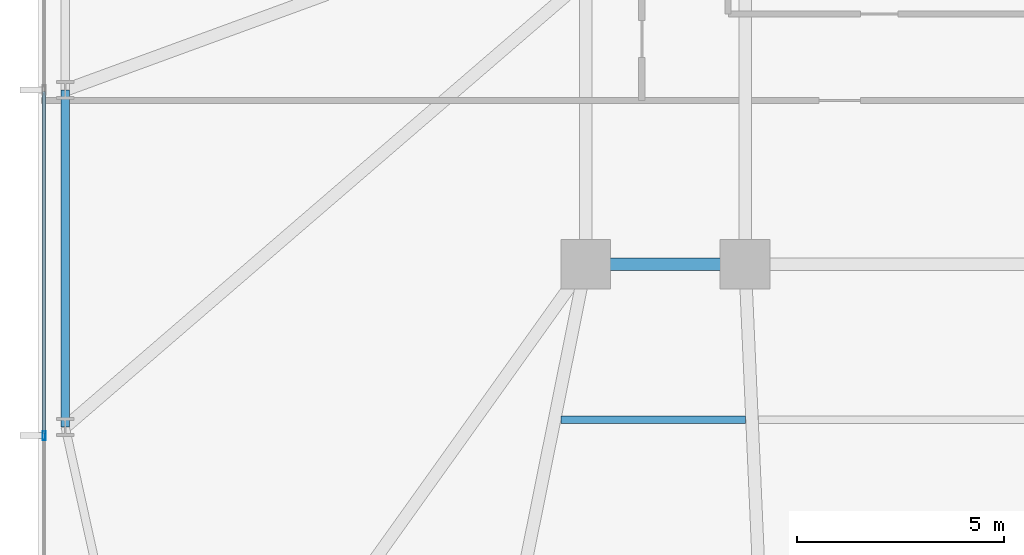
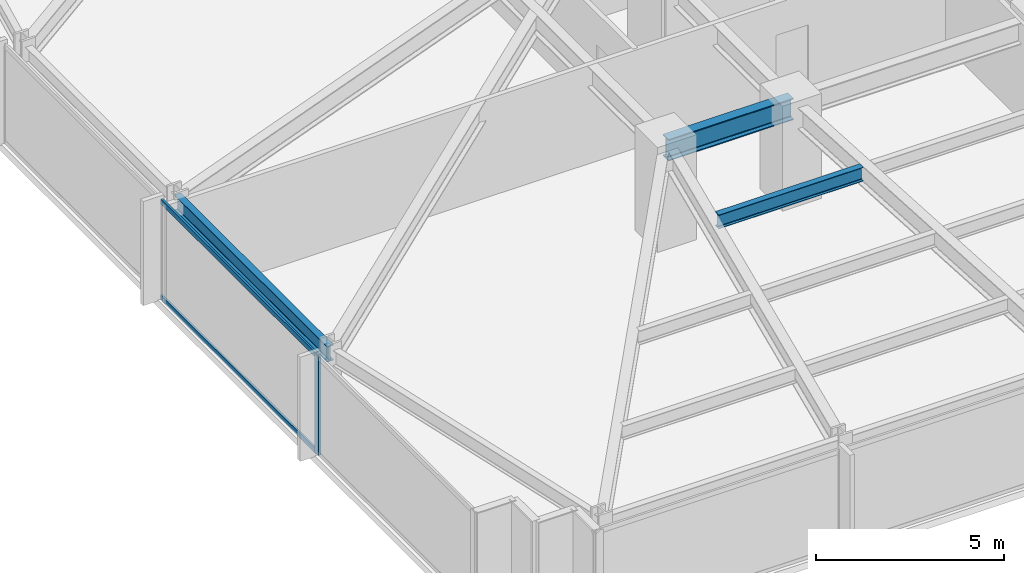
# One storey, part 4 of 32: 3 beams, 3 members, 1 element without a shape of its own.
"""IFC4 building model written with IfcOpenShell, lengths in metres."""

import ifcopenshell
import ifcopenshell.guid

model = None  # the IFC model being written
_history = None  # IfcOwnerHistory: only IFC2X3 demands one
_inside = {}  # id of a spatial element -> (the spatial element, [elements in it])
_under = {}  # id of a project, library or spatial element -> (it, [spatial elements below it])
_declared = {}  # id of a project -> (the project, [libraries it declares])
_typed = {}  # id of a type object -> (the type object, [elements of that type])
_made_of = {}  # id of a material, layer set ... -> (it, [elements and type objects made of it])


def new_model(schema):
    """Start an empty IFC model of exactly this schema.

    Asked for "IFC4X3", IfcOpenShell would pick the latest addendum, in which some entities
    have other attributes; the version numbers below select the first issue.
    IFC2X3 requires an IfcOwnerHistory on every rooted entity: one is made here for all.
    """
    global model, _history
    if schema == "IFC4X3":
        model = ifcopenshell.file(schema_version=(4, 3, 0, 0))
    else:
        model = ifcopenshell.file(schema=schema)
    _inside.clear()
    _under.clear()
    _declared.clear()
    _typed.clear()
    _made_of.clear()
    _history = None
    if model.schema == "IFC2X3":
        org = make("IfcOrganization", Name="unknown")
        user = make(
            "IfcPersonAndOrganization",
            ThePerson=make("IfcPerson", FamilyName="unknown"),
            TheOrganization=org,
        )
        app = make(
            "IfcApplication",
            ApplicationDeveloper=org,
            Version="unknown",
            ApplicationFullName="unknown",
            ApplicationIdentifier="unknown",
        )
        _history = make(
            "IfcOwnerHistory",
            OwningUser=user,
            OwningApplication=app,
            ChangeAction="ADDED",
            CreationDate=0,
        )
    return model


def make(cls, **values):
    """One entity of the class cls with the attributes given. An attribute that is None is left unset."""
    return model.create_entity(
        cls, **{name: value for name, value in values.items() if value is not None}
    )


def rooted(cls, **values):
    """An entity with a GlobalId (a new one), such as an element, a storey or a relation."""
    return make(cls, GlobalId=ifcopenshell.guid.new(), OwnerHistory=_history, **values)


def si_unit(unit_type, name, prefix=None):
    """IfcSIUnit, for example si_unit("LENGTHUNIT", "METRE", prefix="MILLI")."""
    return make("IfcSIUnit", UnitType=unit_type, Prefix=prefix, Name=name)


def assignment(units):
    """IfcUnitAssignment: the units of a project."""
    return None if units is None else make("IfcUnitAssignment", Units=units)


def point(xyz):
    """IfcCartesianPoint."""
    return None if xyz is None else make("IfcCartesianPoint", Coordinates=xyz)


def direction(xyz):
    """IfcDirection."""
    return None if xyz is None else make("IfcDirection", DirectionRatios=xyz)


def frame(location, z_axis=None, x_axis=None):
    """IfcAxis2Placement3D, a coordinate frame: its origin and axes. An axis left out is left unset."""
    return make(
        "IfcAxis2Placement3D",
        Location=point(location),
        Axis=direction(z_axis),
        RefDirection=direction(x_axis),
    )


def frame_2d(location, x_axis=None):
    """IfcAxis2Placement2D, a coordinate frame in the plane: its origin and x axis."""
    return make(
        "IfcAxis2Placement2D", Location=point(location), RefDirection=direction(x_axis)
    )


def origin():
    """The frame at (0, 0, 0) with its axes left unset."""
    return frame((0.0, 0.0, 0.0))


def origin_2d():
    """The frame at (0, 0) in the plane with its x axis left unset."""
    return frame_2d((0.0, 0.0))


def place(relative_to, where):
    """IfcLocalPlacement: puts the frame where relative to a parent placement (None: the world)."""
    return make(
        "IfcLocalPlacement", PlacementRelTo=relative_to, RelativePlacement=where
    )


def context(
    kind, dimensions, precision=None, world=None, true_north=None, identifier=None
):
    """IfcGeometricRepresentationContext, for example the 3D "Model" context."""
    return make(
        "IfcGeometricRepresentationContext",
        ContextIdentifier=identifier,
        ContextType=kind,
        CoordinateSpaceDimension=dimensions,
        Precision=precision,
        WorldCoordinateSystem=world,
        TrueNorth=true_north,
    )


def subcontext(parent, identifier, kind, view, scale=None):
    """IfcGeometricRepresentationSubContext, for example "Body" below "Model"."""
    return make(
        "IfcGeometricRepresentationSubContext",
        ContextIdentifier=identifier,
        ContextType=kind,
        ParentContext=parent,
        TargetScale=scale,
        TargetView=view,
    )


def project(units=None, contexts=None):
    """IfcProject with its units and contexts."""
    return rooted(
        "IfcProject",
        Name="project",
        RepresentationContexts=contexts,
        UnitsInContext=assignment(units),
    )


def spatial(cls, under=None, at=None, **own):
    """A site, building, storey or space (cls), placed at a placement, below another one or the project."""
    s = rooted(cls, ObjectPlacement=at, **own)
    if under is not None:
        _under.setdefault(under.id(), (under, []))[1].append(s)
    return s


def profile(cls, at=None, kind="AREA", **sizes):
    """A parametric profile (cls). Its sizes go by their IFC names, for example OverallWidth=200.0."""
    return make(cls, ProfileType=kind, Position=at, **sizes)


def hollow_rectangle(**sizes):
    """IfcRectangleHollowProfileDef."""
    return profile("IfcRectangleHollowProfileDef", **sizes)


def i_section(**sizes):
    """IfcIShapeProfileDef."""
    return profile("IfcIShapeProfileDef", **sizes)


def extrude(swept, where, along, depth):
    """IfcExtrudedAreaSolid: the profile swept, set in the frame where, extruded along a direction by depth."""
    return make(
        "IfcExtrudedAreaSolid",
        SweptArea=swept,
        Position=where,
        ExtrudedDirection=direction(along),
        Depth=depth,
    )


def shape(context_of_items, identifier, shape_type, items):
    """IfcShapeRepresentation: the items that make up one representation, for example the "Body"."""
    return make(
        "IfcShapeRepresentation",
        ContextOfItems=context_of_items,
        RepresentationIdentifier=identifier,
        RepresentationType=shape_type,
        Items=items,
    )


def material(Name=None, Category=None):
    """IfcMaterial."""
    return make("IfcMaterial", Name=Name, Category=Category)


def material_profile(
    of_material, cross_section, Name=None, Category=None, Priority=None
):
    """IfcMaterialProfile: a cross section and its material."""
    return make(
        "IfcMaterialProfile",
        Name=Name,
        Material=of_material,
        Profile=cross_section,
        Priority=Priority,
        Category=Category,
    )


def profile_set(profiles, Name=None, composite=None):
    """IfcMaterialProfileSet."""
    return make(
        "IfcMaterialProfileSet",
        Name=Name,
        MaterialProfiles=profiles,
        CompositeProfile=composite,
    )


def made_of(thing, what):
    """Note that an element or type object is made of a material, layer set ...; save() writes the relation."""
    if what is not None:
        _made_of.setdefault(what.id(), (what, []))[1].append(thing)
    return thing


def type_object(cls, material=None, **own):
    """A type object (cls), such as IfcWallType, which elements share."""
    return made_of(rooted(cls, **own), material)


def element(
    cls,
    number,
    at=None,
    inside=None,
    cuts=None,
    type_object=None,
    material=None,
    context=None,
    identifier="Body",
    shape_type=None,
    held_by="IfcProductDefinitionShape",
    body=None,
    shapes=None,
    **own,
):
    """One element of the class cls, such as IfcWall. Its Tag is "e" and its number.

    at: its placement. inside: the storey or other place that contains it. cuts: it is an
    opening in that element (IfcRelVoidsElement). A single representation is given by context,
    identifier, shape_type and body (its items); several are given by shapes. held_by: the class
    of the entity that holds the representations. save() writes the other relations.
    """
    e = rooted(cls, Tag="e%d" % number, ObjectPlacement=at, **own)
    if body is not None:
        shapes = [shape(context, identifier, shape_type, body)]
    if shapes is not None:
        e.Representation = make(held_by, Representations=shapes)
    if inside is not None:
        _inside.setdefault(inside.id(), (inside, []))[1].append(e)
    if cuts is not None:
        rooted(
            "IfcRelVoidsElement", RelatingBuildingElement=cuts, RelatedOpeningElement=e
        )
    if type_object is not None:
        _typed.setdefault(type_object.id(), (type_object, []))[1].append(e)
    return made_of(e, material)


def aggregate(whole, parts):
    """IfcRelAggregates: a whole, such as a stair, and the parts it consists of."""
    return rooted("IfcRelAggregates", RelatingObject=whole, RelatedObjects=parts)


def save(model, path):
    """Write the relations noted so far, then the file.

    IfcRelAggregates (storeys below a building ...), IfcRelContainedInSpatialStructure (elements
    in a storey), IfcRelDefinesByType, IfcRelAssociatesMaterial and IfcRelDeclares: one each for
    every whole, place, type object, material and project.
    """
    for whole, parts in _under.values():
        aggregate(whole, parts)
    for where, things in _inside.values():
        rooted(
            "IfcRelContainedInSpatialStructure",
            RelatedElements=things,
            RelatingStructure=where,
        )
    for kind, things in _typed.values():
        rooted("IfcRelDefinesByType", RelatedObjects=things, RelatingType=kind)
    for what, things in _made_of.values():
        rooted("IfcRelAssociatesMaterial", RelatedObjects=things, RelatingMaterial=what)
    for by, libraries in _declared.values():
        rooted("IfcRelDeclares", RelatingContext=by, RelatedDefinitions=libraries)
    model.write(path)


model = new_model("IFC4")

# Units and contexts
model_context = context("Model", 3, precision=1e-05, world=origin(), true_north=direction((0.0, 1.0)))
body_context = subcontext(model_context, "Body", "Model", "MODEL_VIEW")
ifc_project = project(units=[si_unit("LENGTHUNIT", "METRE"), si_unit("AREAUNIT", "SQUARE_METRE"), si_unit("VOLUMEUNIT", "CUBIC_METRE"), si_unit("PLANEANGLEUNIT", "RADIAN"), si_unit("MASSUNIT", "GRAM", prefix="KILO")], contexts=[model_context])

# Site, building, storey
site_placement = place(None, origin())
site = spatial("IfcSite", under=ifc_project, at=site_placement, CompositionType="ELEMENT")
building_placement = place(site_placement, origin())
building = spatial("IfcBuilding", under=site, at=building_placement, Name="Yelkora Congress Tower", CompositionType="ELEMENT")
storey_placement = place(building_placement, frame((0.0, 0.0, 67.800048828125)))
storey = spatial("IfcBuildingStorey", under=building, at=storey_placement, Name="L17", CompositionType="ELEMENT", Elevation=67.800048828125)

# Beams
ifc_material_1 = material(Name="Steel S355J2", Category="steel")
ifc_material_profile_1 = material_profile(ifc_material_1, i_section(OverallWidth=0.300048828125, OverallDepth=0.699951171875, WebThickness=0.01708984375, FlangeThickness=0.031982421875, FilletRadius=0.027099609375, at=origin_2d()), Name="HEB 700")
ifc_profile_set_1 = profile_set([ifc_material_profile_1], Name="Steel S355J2")
beam_type_1 = type_object("IfcBeamType", Name="BM-GIRD-HEB700", PredefinedType="BEAM", material=ifc_profile_set_1)
beam_1_placement = place(storey_placement, frame((19.199951171875, 25.199951171875, 2.829833984375), z_axis=(1.0, 0.0, 0.0), x_axis=(0.0, 1.0, 0.0)))
element("IfcBeam", 1, at=beam_1_placement, inside=storey, type_object=beam_type_1, Name="L17 Spine Grid D Girder 1", PredefinedType="BEAM", context=body_context, shape_type="SweptSolid", body=[
    extrude(i_section(OverallWidth=0.300048828125, OverallDepth=0.699951171875, WebThickness=0.01708984375, FlangeThickness=0.031982421875, FilletRadius=0.027099609375, at=origin_2d()), origin(), (0.0, 0.0, 1.0), 3.840087890625),
])
ifc_material_profile_2 = material_profile(ifc_material_1, i_section(OverallWidth=0.18994140625, OverallDepth=0.449951171875, WebThickness=0.009521484375, FlangeThickness=0.0146484375, FilletRadius=0.02099609375, at=origin_2d()), Name="IPE 450")
ifc_profile_set_2 = profile_set([ifc_material_profile_2], Name="Steel S355J2")
beam_type_2 = type_object("IfcBeamType", Name="BM-JOIST-IPE450", PredefinedType="JOIST", material=ifc_profile_set_2)
beam_2_placement = place(storey_placement, frame((18.60546875, 21.449951171875, 2.954833984375), z_axis=(1.0, 0.0, 0.0), x_axis=(0.0, 1.0, 0.0)))
element("IfcBeam", 2, at=beam_2_placement, inside=storey, type_object=beam_type_2, Name="L17 Composite Floor Joist 17", PredefinedType="JOIST", context=body_context, shape_type="SweptSolid", body=[
    extrude(i_section(OverallWidth=0.18994140625, OverallDepth=0.449951171875, WebThickness=0.009521484375, FlangeThickness=0.0146484375, FilletRadius=0.02099609375, at=origin_2d()), origin(), (0.0, 0.0, 1.0), 4.4404296875),
])
ifc_material_profile_3 = material_profile(ifc_material_1, i_section(OverallWidth=0.199951171875, OverallDepth=0.5, WebThickness=0.01025390625, FlangeThickness=0.01611328125, FilletRadius=0.02099609375, at=origin_2d()), Name="IPE 500")
ifc_profile_set_3 = profile_set([ifc_material_profile_3], Name="Steel S355J2")
beam_type_3 = type_object("IfcBeamType", Name="BM-SPAN-IPE500", PredefinedType="SPANDREL", material=ifc_profile_set_3)
beam_3_placement = place(storey_placement, frame((6.64990234375, 29.39990234375, 2.929931640625), z_axis=(0.0, -1.0, 0.0), x_axis=(1.0, 0.0, 0.0)))
element("IfcBeam", 3, at=beam_3_placement, inside=storey, type_object=beam_type_3, Name="L17 Perimeter Beam 19", PredefinedType="SPANDREL", context=body_context, shape_type="SweptSolid", body=[
    extrude(i_section(OverallWidth=0.199951171875, OverallDepth=0.5, WebThickness=0.01025390625, FlangeThickness=0.01611328125, FilletRadius=0.02099609375, at=origin_2d()), origin(), (0.0, 0.0, 1.0), 8.125),
])

# Curtain wall, members
ifc_material_2 = material(Name="Anodised aluminium and insulated glass", Category="aluminium")
curtain_wall_type = type_object("IfcCurtainWallType", Name="CW-SYS-B1", PredefinedType="NOTDEFINED", material=ifc_material_2)
curtain_wall_placement = place(storey_placement, origin())
curtain_wall = element("IfcCurtainWall", 4, at=curtain_wall_placement, inside=storey, type_object=curtain_wall_type, Name="L17 Unitised Curtain Wall 5", PredefinedType="NOTDEFINED")
ifc_material_3 = material(Name="Anodised aluminium 6063-T6", Category="aluminium")
ifc_material_profile_4 = material_profile(ifc_material_3, hollow_rectangle(XDim=0.074951171875, YDim=0.219970703125, WallThickness=0.0048828125, at=origin_2d()), Name="ALU 75x220x5")
ifc_profile_set_4 = profile_set([ifc_material_profile_4], Name="Anodised aluminium 6063-T6")
member_type_1 = type_object("IfcMemberType", Name="MEM-ML-B1", PredefinedType="MULLION", material=ifc_profile_set_4)
member_1_placement = place(storey_placement, frame((6.139892578125, 21.070068359375, 0.0), z_axis=(0.0, 0.0, 1.0), x_axis=(-1.0, 0.0, 0.0)))
member_1 = element("IfcMember", 5, at=member_1_placement, type_object=member_type_1, Name="CW-B1 mullion 2", PredefinedType="MULLION", context=body_context, shape_type="SweptSolid", body=[
    extrude(hollow_rectangle(XDim=0.074951171875, YDim=0.219970703125, WallThickness=0.0048828125, at=origin_2d()), origin(), (0.0, 0.0, 1.0), 3.179931640625),
])
ifc_material_profile_5 = material_profile(ifc_material_3, hollow_rectangle(XDim=0.06494140625, YDim=0.159912109375, WallThickness=0.00390625, at=origin_2d()), Name="ALU 65x160x4")
ifc_profile_set_5 = profile_set([ifc_material_profile_5], Name="Anodised aluminium 6063-T6")
member_type_2 = type_object("IfcMemberType", Name="MEM-TR-B1", PredefinedType="USERDEFINED", material=ifc_profile_set_5)
member_2_placement = place(storey_placement, frame((6.139892578125, 21.107421875, 0.032470703125), z_axis=(0.0, 1.0, 0.0), x_axis=(-1.0, 0.0, 0.0)))
member_2 = element("IfcMember", 6, at=member_2_placement, type_object=member_type_2, Name="CW-B1 transom 2.1", ObjectType="TRANSOM", PredefinedType="USERDEFINED", context=body_context, shape_type="SweptSolid", body=[
    extrude(hollow_rectangle(XDim=0.06494140625, YDim=0.159912109375, WallThickness=0.00390625, at=origin_2d()), origin(), (0.0, 0.0, 1.0), 8.255126953125),
])
member_3_placement = place(storey_placement, frame((6.139892578125, 21.107421875, 3.1474609375), z_axis=(0.0, 1.0, 0.0), x_axis=(-1.0, 0.0, 0.0)))
member_3 = element("IfcMember", 7, at=member_3_placement, type_object=member_type_2, Name="CW-B1 transom 2.2", ObjectType="TRANSOM", PredefinedType="USERDEFINED", context=body_context, shape_type="SweptSolid", body=[
    extrude(hollow_rectangle(XDim=0.06494140625, YDim=0.159912109375, WallThickness=0.00390625, at=origin_2d()), origin(), (0.0, 0.0, 1.0), 8.255126953125),
])
aggregate(curtain_wall, [member_1, member_2, member_3])

save(model, "model.ifc")
